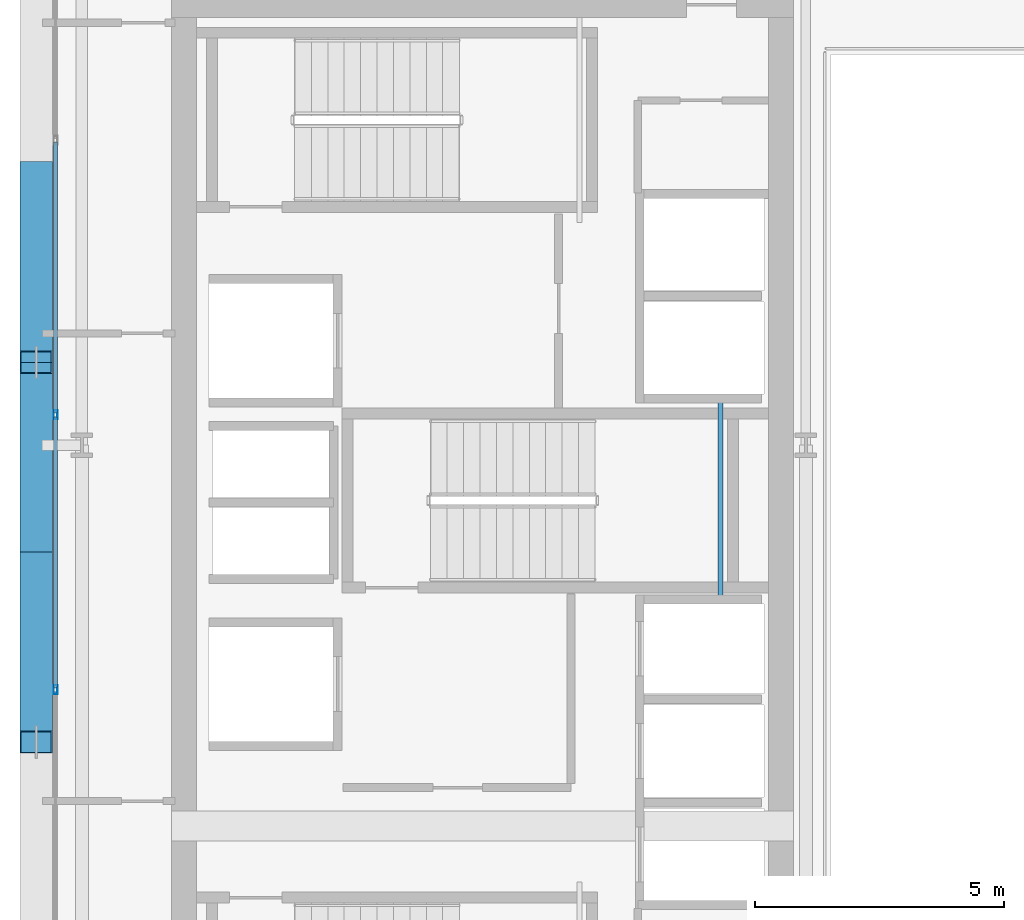
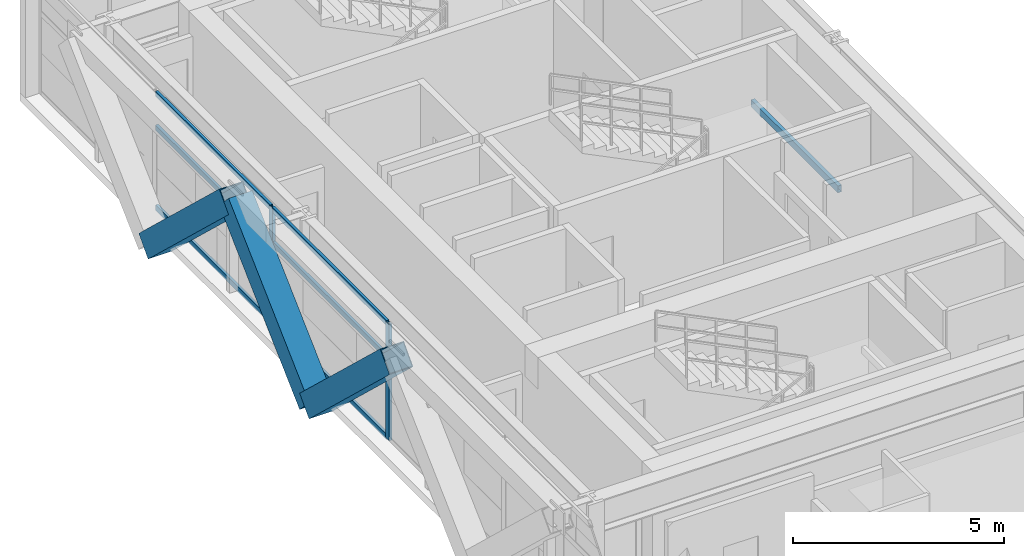
# One storey, part 7 of 31: 11 members, 1 beam, 1 element without a shape of its own.
"""IFC4 building model written with IfcOpenShell, lengths in metres."""

from ifc_helpers import new_model, si_unit, direction, frame, origin, origin_2d, place, context, subcontext, project, spatial, hollow_rectangle, extrude, source, transform, mapped, material, layer, layer_set, material_profile, profile_set, type_object, element, aggregate, save


model = new_model("IFC4")

# Units and contexts
model_context = context("Model", 3, precision=1e-05, world=origin(), true_north=direction((0.0, 1.0)))
body_context = subcontext(model_context, "Body", "Model", "MODEL_VIEW")
ifc_project = project(units=[si_unit("LENGTHUNIT", "METRE"), si_unit("AREAUNIT", "SQUARE_METRE"), si_unit("VOLUMEUNIT", "CUBIC_METRE"), si_unit("PLANEANGLEUNIT", "RADIAN"), si_unit("MASSUNIT", "GRAM", prefix="KILO")], contexts=[model_context])

# Site, building, storey
site_placement = place(None, origin())
site = spatial("IfcSite", under=ifc_project, at=site_placement, CompositionType="ELEMENT")
building_placement = place(site_placement, origin())
building = spatial("IfcBuilding", under=site, at=building_placement, Name="Ocotamira Hotel", CompositionType="ELEMENT")
storey_placement = place(building_placement, frame((0.0, 0.0, 199.199951171875)))
storey = spatial("IfcBuildingStorey", under=building, at=storey_placement, Name="L50", CompositionType="ELEMENT", Elevation=199.199951171875)

# Beam
ifc_material_1 = material(Name="Steel ASTM A500 Grade C", Category="steel")
ifc_material_profile_1 = material_profile(ifc_material_1, hollow_rectangle(XDim=0.10009765625, YDim=0.199951171875, WallThickness=0.008056640625, at=origin_2d()), Name="HSS200X100X8")
ifc_profile_set_1 = profile_set([ifc_material_profile_1], Name="Steel ASTM A500 Grade C")
beam_type = type_object("IfcBeamType", Name="BM-STLDG-HSS200", PredefinedType="BEAM", material=ifc_profile_set_1)
shared_shape_1 = source(origin(), body_context, "Body", "SweptSolid", [
    extrude(hollow_rectangle(XDim=0.10009765625, YDim=0.199951171875, WallThickness=0.008056640625, at=origin_2d()), origin(), (0.0, 0.0, 1.0), 4.1201171875),
])
beam_placement = place(storey_placement, frame((21.780029296875, 24.97998046875, 1.5), z_axis=(0.0, 1.0, 0.0), x_axis=(-1.0, 0.0, 0.0)))
element("IfcBeam", 1, at=beam_placement, inside=storey, type_object=beam_type, Name="L50 Stair ST-3 Landing Bearer 1", PredefinedType="BEAM", context=body_context, shape_type="MappedRepresentation", body=[
    mapped(shared_shape_1, transform((0.0, 0.0, 0.0), scale=1.0)),
])

# Members
ifc_material_2 = material(Name="Pale-metal coated steel ASTM A913 Grade 65", Category="steel")
ifc_material_profile_2 = material_profile(ifc_material_2, hollow_rectangle(XDim=0.64990234375, YDim=0.64990234375, WallThickness=0.02197265625, at=origin_2d()), Name="BOX650X650X22")
ifc_profile_set_2 = profile_set([ifc_material_profile_2], Name="Pale-metal coated steel ASTM A913 Grade 65")
member_type_1 = type_object("IfcMemberType", Name="MEM-EXO-BOX650", PredefinedType="BRACE", material=ifc_profile_set_2)
shared_shape_2 = source(origin(), body_context, "Body", "SweptSolid", [
    extrude(hollow_rectangle(XDim=0.64990234375, YDim=0.64990234375, WallThickness=0.02197265625, at=origin_2d()), origin(), (0.0, 0.0, 1.0), 5.24658203125),
])
for number, where, z_axis, x_axis, name in (
    (2, (8.030029296875, 26.0, -0.47998046875), (0.0, -0.727442733726, 0.686168397078), (1.0, 0.0, 0.0), "L50 Exoskeleton Diagrid W1.1"),
    (3, (8.030029296875, 26.0, -0.47998046875), (0.0, 0.727442733726, 0.686168397078), (-1.0, 0.0, 0.0), "L50 Exoskeleton Diagrid W1.2"),
    (4, (8.030029296875, 33.63330078125, -0.47998046875), (0.0, -0.727442733726, 0.686168397078), (1.0, 0.0, 0.0), "L50 Exoskeleton Diagrid W2.1"),
):
    element("IfcMember", number, at=place(storey_placement, frame(where, z_axis=z_axis, x_axis=x_axis)), inside=storey, type_object=member_type_1, Name=name, PredefinedType="BRACE", context=body_context, shape_type="MappedRepresentation", body=[
        mapped(shared_shape_2, transform((0.0, 0.0, 0.0), scale=1.0)),
    ])

# Curtain wall, members
ifc_material_3 = material(Name="Anodised pale-metal aluminium and solar glass", Category="aluminium")
ifc_layer = layer(ifc_material_3, 0.199951171875)
ifc_layer_set = layer_set([ifc_layer], Name="Anodised pale-metal aluminium and solar glass")
curtain_wall_type = type_object("IfcCurtainWallType", Name="CW-SYS4-Z3", PredefinedType="NOTDEFINED", material=ifc_layer_set)
curtain_wall_placement = place(storey_placement, origin())
curtain_wall = element("IfcCurtainWall", 5, at=curtain_wall_placement, inside=storey, type_object=curtain_wall_type, Name="L50 Curtain Wall CW-4 CW-L50-W", PredefinedType="NOTDEFINED")
ifc_material_4 = material(Name="Anodised pale-metal aluminium 6063-T6", Category="aluminium")
ifc_material_profile_3 = material_profile(ifc_material_4, hollow_rectangle(XDim=0.080078125, YDim=0.179931640625, WallThickness=0.006103515625, at=origin_2d()), Name="HSS180X80X6")
ifc_profile_set_3 = profile_set([ifc_material_profile_3], Name="Anodised pale-metal aluminium 6063-T6")
member_type_2 = type_object("IfcMemberType", Name="CWM-180X75", PredefinedType="MULLION", material=ifc_profile_set_3)
shared_shape_3 = source(origin(), body_context, "Body", "SweptSolid", [
    extrude(hollow_rectangle(XDim=0.080078125, YDim=0.179931640625, WallThickness=0.006103515625, at=origin_2d()), origin(), (0.0, 0.0, 1.0), 3.3701171875),
])
member_1_placement = place(storey_placement, frame((8.419921875, 23.239990234375, 0.0), z_axis=(0.0, 0.0, 1.0), x_axis=(-1.0, 0.0, 0.0)))
member_1 = element("IfcMember", 6, at=member_1_placement, type_object=member_type_2, Name="CW-4 mullion 3", PredefinedType="MULLION", context=body_context, shape_type="MappedRepresentation", body=[
    mapped(shared_shape_3, transform((0.0, 0.0, 0.0), scale=1.0)),
])
member_2_placement = place(storey_placement, frame((8.419921875, 28.760009765625, 0.0), z_axis=(0.0, 0.0, 1.0), x_axis=(-1.0, 0.0, 0.0)))
member_2 = element("IfcMember", 7, at=member_2_placement, type_object=member_type_2, Name="CW-4 mullion 4", PredefinedType="MULLION", context=body_context, shape_type="MappedRepresentation", body=[
    mapped(shared_shape_3, transform((0.0, 0.0, 0.0), scale=1.0)),
])
ifc_material_profile_4 = material_profile(ifc_material_4, hollow_rectangle(XDim=0.074951171875, YDim=0.14990234375, WallThickness=0.006103515625, at=origin_2d()), Name="HSS150X75X6")
ifc_profile_set_4 = profile_set([ifc_material_profile_4], Name="Anodised pale-metal aluminium 6063-T6")
member_type_3 = type_object("IfcMemberType", Name="CWT-150X75", PredefinedType="USERDEFINED", material=ifc_profile_set_4)
shared_shape_4 = source(origin(), body_context, "Body", "SweptSolid", [
    extrude(hollow_rectangle(XDim=0.074951171875, YDim=0.14990234375, WallThickness=0.006103515625, at=origin_2d()), origin(), (0.0, 0.0, 1.0), 5.43994140625),
])
member_3_placement = place(storey_placement, frame((8.419921875, 23.280029296875, 0.03759765625), z_axis=(0.0, 1.0, 0.0), x_axis=(-1.0, 0.0, 0.0)))
member_3 = element("IfcMember", 8, at=member_3_placement, type_object=member_type_3, Name="CW-4 transom 3.1", ObjectType="TRANSOM", PredefinedType="USERDEFINED", context=body_context, shape_type="MappedRepresentation", body=[
    mapped(shared_shape_4, transform((0.0, 0.0, 0.0), scale=1.0)),
])
member_4_placement = place(storey_placement, frame((8.419921875, 23.280029296875, 2.35009765625), z_axis=(0.0, 1.0, 0.0), x_axis=(-1.0, 0.0, 0.0)))
member_4 = element("IfcMember", 9, at=member_4_placement, type_object=member_type_3, Name="CW-4 transom 3.2", ObjectType="TRANSOM", PredefinedType="USERDEFINED", context=body_context, shape_type="MappedRepresentation", body=[
    mapped(shared_shape_4, transform((0.0, 0.0, 0.0), scale=1.0)),
])
member_5_placement = place(storey_placement, frame((8.419921875, 23.280029296875, 3.33251953125), z_axis=(0.0, 1.0, 0.0), x_axis=(-1.0, 0.0, 0.0)))
member_5 = element("IfcMember", 10, at=member_5_placement, type_object=member_type_3, Name="CW-4 transom 3.3", ObjectType="TRANSOM", PredefinedType="USERDEFINED", context=body_context, shape_type="MappedRepresentation", body=[
    mapped(shared_shape_4, transform((0.0, 0.0, 0.0), scale=1.0)),
])
member_6_placement = place(storey_placement, frame((8.419921875, 28.800048828125, 0.03759765625), z_axis=(0.0, 1.0, 0.0), x_axis=(-1.0, 0.0, 0.0)))
member_6 = element("IfcMember", 11, at=member_6_placement, type_object=member_type_3, Name="CW-4 transom 4.1", ObjectType="TRANSOM", PredefinedType="USERDEFINED", context=body_context, shape_type="MappedRepresentation", body=[
    mapped(shared_shape_4, transform((0.0, 0.0, 0.0), scale=1.0)),
])
member_7_placement = place(storey_placement, frame((8.419921875, 28.800048828125, 2.35009765625), z_axis=(0.0, 1.0, 0.0), x_axis=(-1.0, 0.0, 0.0)))
member_7 = element("IfcMember", 12, at=member_7_placement, type_object=member_type_3, Name="CW-4 transom 4.2", ObjectType="TRANSOM", PredefinedType="USERDEFINED", context=body_context, shape_type="MappedRepresentation", body=[
    mapped(shared_shape_4, transform((0.0, 0.0, 0.0), scale=1.0)),
])
member_8_placement = place(storey_placement, frame((8.419921875, 28.800048828125, 3.33251953125), z_axis=(0.0, 1.0, 0.0), x_axis=(-1.0, 0.0, 0.0)))
member_8 = element("IfcMember", 13, at=member_8_placement, type_object=member_type_3, Name="CW-4 transom 4.3", ObjectType="TRANSOM", PredefinedType="USERDEFINED", context=body_context, shape_type="MappedRepresentation", body=[
    mapped(shared_shape_4, transform((0.0, 0.0, 0.0), scale=1.0)),
])
aggregate(curtain_wall, [member_1, member_2, member_3, member_4, member_5, member_6, member_7, member_8])

save(model, "model.ifc")
